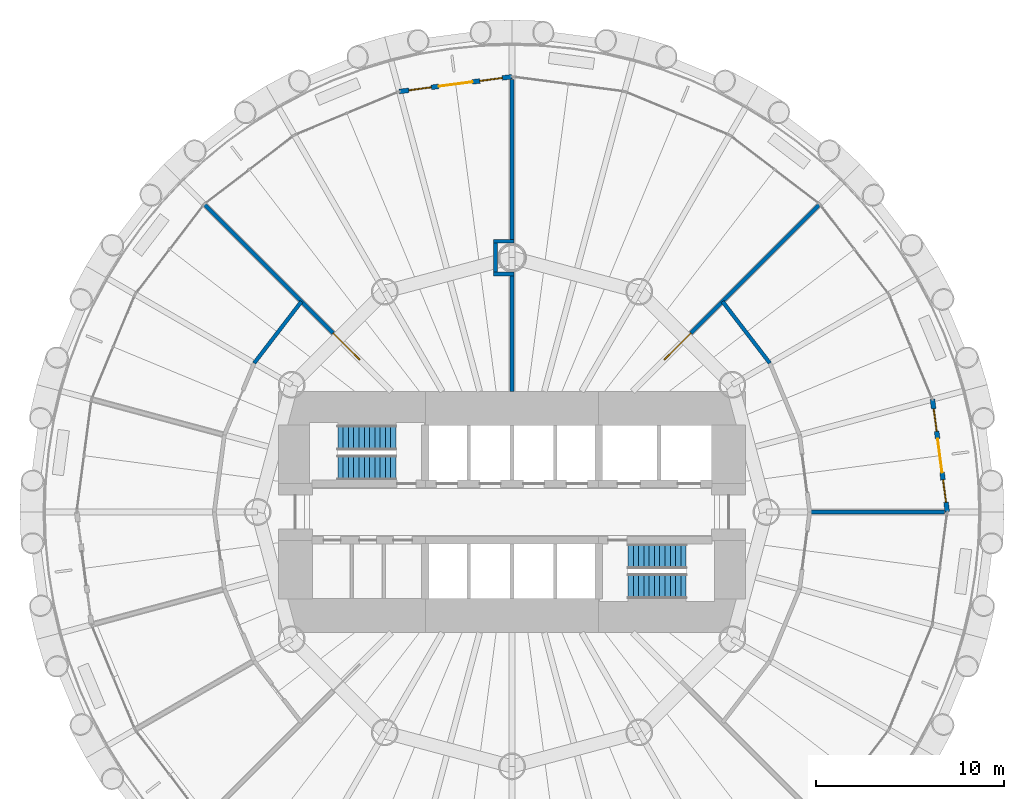
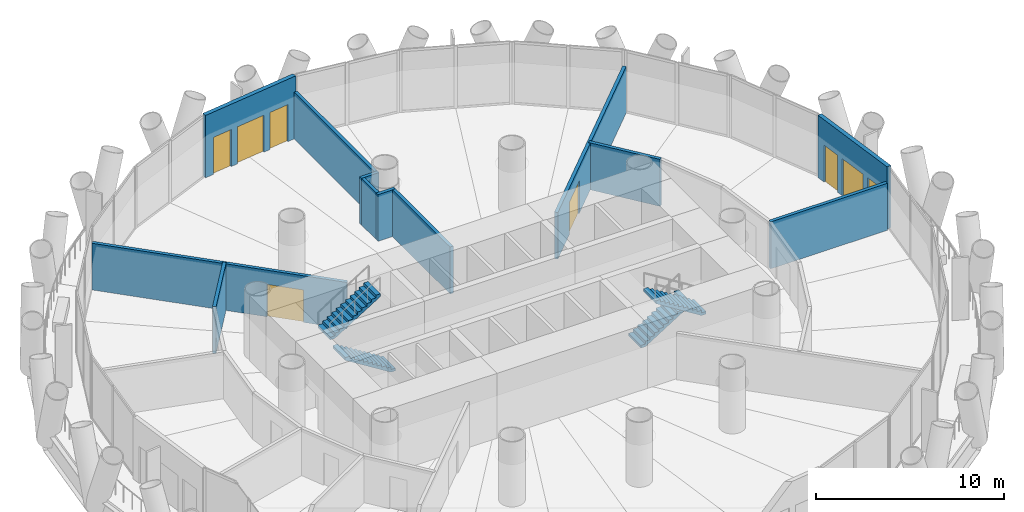
# One storey, part 10 of 14: 12 walls, 4 doors, 4 stair flights, 4 windows, 8 openings, 2 elements without a shape of their own.
"""IFC4 building model written with IfcOpenShell, lengths in metres."""

from ifc_helpers import new_model, si_unit, direction, frame, frame_2d, origin, place, context, subcontext, project, spatial, polyline, rectangle, outline, extrude, material, layer, layer_set, type_object, element, fill, aggregate, save


model = new_model("IFC4")

# Units and contexts
model_context = context("Model", 3, precision=1e-05, world=origin(), true_north=direction((0.0, 1.0)))
body_context = subcontext(model_context, "Body", "Model", "MODEL_VIEW")
ifc_project = project(units=[si_unit("LENGTHUNIT", "METRE"), si_unit("AREAUNIT", "SQUARE_METRE"), si_unit("VOLUMEUNIT", "CUBIC_METRE"), si_unit("PLANEANGLEUNIT", "RADIAN"), si_unit("MASSUNIT", "GRAM", prefix="KILO")], contexts=[model_context])

# Site, building, storey
site_placement = place(None, origin())
site = spatial("IfcSite", under=ifc_project, at=site_placement, CompositionType="ELEMENT")
building_placement = place(site_placement, origin())
building = spatial("IfcBuilding", under=site, at=building_placement, Name="Qaws Media Tower", CompositionType="ELEMENT")
storey_placement = place(building_placement, frame((0.0, 0.0, 76.39990234375)))
storey = spatial("IfcBuildingStorey", under=building, at=storey_placement, Name="L16", CompositionType="ELEMENT", Elevation=76.39990234375)

# Wall, openings, door, windows
ifc_material_1 = material(Name="Precast concrete, exposed finish", Category="concrete")
ifc_layer_1 = layer(ifc_material_1, 0.25)
ifc_layer_set_1 = layer_set([ifc_layer_1], Name="Balcony door wall 250")
wall_type_1 = type_object("IfcWallType", Name="Balcony door wall 250", PredefinedType="SOLIDWALL", material=ifc_layer_set_1)
wall_1_placement = place(storey_placement, frame((83.10009765625, 50.0, 0.0), z_axis=(0.0, 0.0, 1.0), x_axis=(-0.130524679454, 0.991445060532, 0.0)))
wall_1 = element("IfcWall", 1, at=wall_1_placement, inside=storey, type_object=wall_type_1, Name="W156 EW1 balcony door wall L16-01", PredefinedType="SOLIDWALL", context=body_context, shape_type="SweptSolid", body=[
    extrude(rectangle(XDim=6.0302734375, YDim=0.25, at=frame_2d((3.01513671875, 0.0))), origin(), (0.0, 0.0, 1.0), 4.0400390625),
])
opening_1_placement = place(wall_1_placement, frame((2.115234375, 0.0, 0.0)))
opening_1 = element("IfcOpeningElement", 2, at=opening_1_placement, cuts=wall_1, Name="Opening D7", PredefinedType="OPENING", context=body_context, shape_type="SweptSolid", body=[
    extrude(rectangle(XDim=1.800048828125, YDim=2.39990234375, at=frame_2d((0.89990234375, 1.199951171875))), frame((0.0, 0.135009765625, 0.0), z_axis=(0.0, -1.0, 0.0), x_axis=(1.0, 0.0, 0.0)), (0.0, 0.0, 1.0), 0.27001953125),
])
opening_2_placement = place(wall_1_placement, frame((0.51513671875, 0.0, 0.0)))
opening_2 = element("IfcOpeningElement", 3, at=opening_2_placement, cuts=wall_1, Name="Opening W1", PredefinedType="OPENING", context=body_context, shape_type="SweptSolid", body=[
    extrude(rectangle(XDim=1.199951171875, YDim=2.39990234375, at=frame_2d((0.60009765625, 1.199951171875))), frame((0.0, 0.135009765625, 0.0), z_axis=(0.0, -1.0, 0.0), x_axis=(1.0, 0.0, 0.0)), (0.0, 0.0, 1.0), 0.27001953125),
])
opening_3_placement = place(wall_1_placement, frame((4.315185546875, 0.0, 0.0)))
opening_3 = element("IfcOpeningElement", 4, at=opening_3_placement, cuts=wall_1, Name="Opening W1", PredefinedType="OPENING", context=body_context, shape_type="SweptSolid", body=[
    extrude(rectangle(XDim=1.199951171875, YDim=2.39990234375, at=frame_2d((0.60009765625, 1.199951171875))), frame((0.0, 0.135009765625, 0.0), z_axis=(0.0, -1.0, 0.0), x_axis=(1.0, 0.0, 0.0)), (0.0, 0.0, 1.0), 0.27001953125),
])
ifc_material_2 = material(Name="Aluminium and clear glass", Category="aluminium")
door_type_1 = type_object("IfcDoorType", Name="Balcony door pair 1800", OperationType="DOUBLE_DOOR_SLIDING", PredefinedType="DOOR", material=ifc_material_2)
door_1_placement = place(opening_1_placement, origin())
door_1 = element("IfcDoor", 5, at=door_1_placement, inside=storey, type_object=door_type_1, Name="D7 balcony door L16-01 in wall W156", OperationType="DOUBLE_DOOR_SLIDING", OverallHeight=2.39990234375, OverallWidth=1.800048828125, PredefinedType="DOOR", context=body_context, shape_type="SweptSolid", body=[
    extrude(rectangle(XDim=1.800048828125, YDim=2.39990234375, at=frame_2d((0.89990234375, 1.199951171875))), frame((0.0, 0.02490234375, 0.0), z_axis=(0.0, -1.0, 0.0), x_axis=(1.0, 0.0, 0.0)), (0.0, 0.0, 1.0), 0.050048828125),
])
fill(opening_1, door_1)
ifc_material_3 = material(Name="Aluminium and clear glass", Category="aluminium")
window_type = type_object("IfcWindowType", Name="Balcony side window 1200", PartitioningType="SINGLE_PANEL", PredefinedType="WINDOW", material=ifc_material_3)
window_1_placement = place(opening_2_placement, origin())
window_1 = element("IfcWindow", 6, at=window_1_placement, inside=storey, type_object=window_type, Name="W1 balcony side light L16-01L", OverallHeight=2.39990234375, OverallWidth=1.199951171875, PartitioningType="SINGLE_PANEL", PredefinedType="WINDOW", context=body_context, shape_type="SweptSolid", body=[
    extrude(rectangle(XDim=1.199951171875, YDim=2.39990234375, at=frame_2d((0.60009765625, 1.199951171875))), frame((0.0, 0.030029296875, 0.0), z_axis=(0.0, -1.0, 0.0), x_axis=(1.0, 0.0, 0.0)), (0.0, 0.0, 1.0), 0.06005859375),
])
fill(opening_2, window_1)
window_2_placement = place(opening_3_placement, origin())
window_2 = element("IfcWindow", 7, at=window_2_placement, inside=storey, type_object=window_type, Name="W1 balcony side light L16-01R", OverallHeight=2.39990234375, OverallWidth=1.199951171875, PartitioningType="SINGLE_PANEL", PredefinedType="WINDOW", context=body_context, shape_type="SweptSolid", body=[
    extrude(rectangle(XDim=1.199951171875, YDim=2.39990234375, at=frame_2d((0.60009765625, 1.199951171875))), frame((0.0, 0.030029296875, 0.0), z_axis=(0.0, -1.0, 0.0), x_axis=(1.0, 0.0, 0.0)), (0.0, 0.0, 1.0), 0.06005859375),
])
fill(opening_3, window_2)

wall_2_placement = place(storey_placement, frame((60.0, 73.10009765625, 0.0), z_axis=(0.0, 0.0, 1.0), x_axis=(-0.991445060532, -0.130524679454, 0.0)))
wall_2 = element("IfcWall", 8, at=wall_2_placement, inside=storey, type_object=wall_type_1, Name="W155 EW1 balcony door wall L16-07", PredefinedType="SOLIDWALL", context=body_context, shape_type="SweptSolid", body=[
    extrude(rectangle(XDim=6.0302734375, YDim=0.25, at=frame_2d((3.01513671875, 0.0))), origin(), (0.0, 0.0, 1.0), 4.0400390625),
])
opening_4_placement = place(wall_2_placement, frame((2.115234375, 0.0, 0.0)))
opening_4 = element("IfcOpeningElement", 9, at=opening_4_placement, cuts=wall_2, Name="Opening D7", PredefinedType="OPENING", context=body_context, shape_type="SweptSolid", body=[
    extrude(rectangle(XDim=1.800048828125, YDim=2.39990234375, at=frame_2d((0.89990234375, 1.199951171875))), frame((0.0, 0.135009765625, 0.0), z_axis=(0.0, -1.0, 0.0), x_axis=(1.0, 0.0, 0.0)), (0.0, 0.0, 1.0), 0.27001953125),
])
opening_5_placement = place(wall_2_placement, frame((0.51513671875, 0.0, 0.0)))
opening_5 = element("IfcOpeningElement", 10, at=opening_5_placement, cuts=wall_2, Name="Opening W1", PredefinedType="OPENING", context=body_context, shape_type="SweptSolid", body=[
    extrude(rectangle(XDim=1.199951171875, YDim=2.39990234375, at=frame_2d((0.60009765625, 1.199951171875))), frame((0.0, 0.135009765625, 0.0), z_axis=(0.0, -1.0, 0.0), x_axis=(1.0, 0.0, 0.0)), (0.0, 0.0, 1.0), 0.27001953125),
])
opening_6_placement = place(wall_2_placement, frame((4.315185546875, 0.0, 0.0)))
opening_6 = element("IfcOpeningElement", 11, at=opening_6_placement, cuts=wall_2, Name="Opening W1", PredefinedType="OPENING", context=body_context, shape_type="SweptSolid", body=[
    extrude(rectangle(XDim=1.199951171875, YDim=2.39990234375, at=frame_2d((0.60009765625, 1.199951171875))), frame((0.0, 0.135009765625, 0.0), z_axis=(0.0, -1.0, 0.0), x_axis=(1.0, 0.0, 0.0)), (0.0, 0.0, 1.0), 0.27001953125),
])
door_2_placement = place(opening_4_placement, origin())
door_2 = element("IfcDoor", 12, at=door_2_placement, inside=storey, type_object=door_type_1, Name="D7 balcony door L16-07 in wall W155", OperationType="DOUBLE_DOOR_SLIDING", OverallHeight=2.39990234375, OverallWidth=1.800048828125, PredefinedType="DOOR", context=body_context, shape_type="SweptSolid", body=[
    extrude(rectangle(XDim=1.800048828125, YDim=2.39990234375, at=frame_2d((0.89990234375, 1.199951171875))), frame((0.0, 0.02490234375, 0.0), z_axis=(0.0, -1.0, 0.0), x_axis=(1.0, 0.0, 0.0)), (0.0, 0.0, 1.0), 0.050048828125),
])
fill(opening_4, door_2)
window_3_placement = place(opening_5_placement, origin())
window_3 = element("IfcWindow", 13, at=window_3_placement, inside=storey, type_object=window_type, Name="W1 balcony side light L16-07L", OverallHeight=2.39990234375, OverallWidth=1.199951171875, PartitioningType="SINGLE_PANEL", PredefinedType="WINDOW", context=body_context, shape_type="SweptSolid", body=[
    extrude(rectangle(XDim=1.199951171875, YDim=2.39990234375, at=frame_2d((0.60009765625, 1.199951171875))), frame((0.0, 0.030029296875, 0.0), z_axis=(0.0, -1.0, 0.0), x_axis=(1.0, 0.0, 0.0)), (0.0, 0.0, 1.0), 0.06005859375),
])
fill(opening_5, window_3)
window_4_placement = place(opening_6_placement, origin())
window_4 = element("IfcWindow", 14, at=window_4_placement, inside=storey, type_object=window_type, Name="W1 balcony side light L16-07R", OverallHeight=2.39990234375, OverallWidth=1.199951171875, PartitioningType="SINGLE_PANEL", PredefinedType="WINDOW", context=body_context, shape_type="SweptSolid", body=[
    extrude(rectangle(XDim=1.199951171875, YDim=2.39990234375, at=frame_2d((0.60009765625, 1.199951171875))), frame((0.0, 0.030029296875, 0.0), z_axis=(0.0, -1.0, 0.0), x_axis=(1.0, 0.0, 0.0)), (0.0, 0.0, 1.0), 0.06005859375),
])
fill(opening_6, window_4)

# Walls
ifc_material_4 = material(Name="Gypsum board on galvanised metal studs, acoustic double stud, deflection head", Category="gypsum")
ifc_layer_2 = layer(ifc_material_4, 0.199951171875)
ifc_layer_set_2 = layer_set([ifc_layer_2], Name="Room partition 200")
wall_type_2 = type_object("IfcWallType", Name="Room partition 200", PredefinedType="PARTITIONING", material=ifc_layer_set_2)
for number, where, z_axis, x_axis, name in (
    (15, (46.31689453125, 57.89990234375, 0.0), (0.0, 0.0, 1.0), (0.608714823874, 0.793389099494, 0.0), "W947 IW3 partition L16"),
    (16, (71.17236328125, 61.17236328125, 0.0), (0.0, 0.0, 1.0), (0.608714823874, -0.793389099494, 0.0), "W953 IW3 partition L16"),
):
    element("IfcWall", number, at=place(storey_placement, frame(where, z_axis=z_axis, x_axis=x_axis)), inside=storey, type_object=wall_type_2, Name=name, PredefinedType="PARTITIONING", context=body_context, shape_type="SweptSolid", body=[
        extrude(rectangle(XDim=4.124755859375, YDim=0.199951171875, at=frame_2d((2.0625, 0.0))), origin(), (0.0, 0.0, 1.0), 3.0400390625),
    ])
wall_3_placement = place(storey_placement, frame((75.800048828125, 50.0, 0.0), z_axis=(0.0, 0.0, 1.0), x_axis=(1.0, 0.0, 0.0)))
element("IfcWall", 17, at=wall_3_placement, inside=storey, type_object=wall_type_2, Name="W1097 IW3 partition L16", PredefinedType="PARTITIONING", context=body_context, shape_type="SweptSolid", body=[
    extrude(rectangle(XDim=7.159912109375, YDim=0.199951171875, at=frame_2d((3.580078125, 0.0))), origin(), (0.0, 0.0, 1.0), 3.0400390625),
])

# Wall, opening, door
wall_4_placement = place(storey_placement, frame((66.39990234375, 56.39990234375, 0.0), z_axis=(0.0, 0.0, 1.0), x_axis=(0.707106781187, 0.707106781187, 0.0)))
wall_4 = element("IfcWall", 18, at=wall_4_placement, inside=storey, type_object=wall_type_2, Name="W1096 IW3 partition L16", PredefinedType="PARTITIONING", context=body_context, shape_type="SweptSolid", body=[
    extrude(rectangle(XDim=14.00927734375, YDim=0.199951171875, at=frame_2d((7.004638671875, 0.0))), origin(), (0.0, 0.0, 1.0), 3.02001953125),
])
opening_7_placement = place(wall_4_placement, frame((2.37451171875, 0.0, 0.0)))
opening_7 = element("IfcOpeningElement", 19, at=opening_7_placement, cuts=wall_4, Name="Opening D6", PredefinedType="OPENING", context=body_context, shape_type="SweptSolid", body=[
    extrude(rectangle(XDim=2.0, YDim=2.10009765625, at=frame_2d((1.0, 1.050048828125))), frame((0.0, 0.10986328125, 0.0), z_axis=(0.0, -1.0, 0.0), x_axis=(1.0, 0.0, 0.0)), (0.0, 0.0, 1.0), 0.219970703125),
])
ifc_material_5 = material(Name="Steel, acoustic, fire rated", Category="steel")
door_type_2 = type_object("IfcDoorType", Name="Room door pair 2000", OperationType="DOUBLE_DOOR_DOUBLE_SWING", PredefinedType="DOOR", material=ifc_material_5)
door_3_placement = place(opening_7_placement, origin())
door_3 = element("IfcDoor", 20, at=door_3_placement, inside=storey, type_object=door_type_2, Name="D6 Digital desk door L16 in wall W1096", OperationType="DOUBLE_DOOR_DOUBLE_SWING", OverallHeight=2.10009765625, OverallWidth=2.0, PredefinedType="DOOR", context=body_context, shape_type="SweptSolid", body=[
    extrude(rectangle(XDim=2.0, YDim=2.10009765625, at=frame_2d((1.0, 1.050048828125))), frame((0.0, 0.02490234375, 0.0), z_axis=(0.0, -1.0, 0.0), x_axis=(1.0, 0.0, 0.0)), (0.0, 0.0, 1.0), 0.050048828125),
])
fill(opening_7, door_3)

# Walls
for number, where, z_axis, x_axis, name in (
    (21, (60.10009765625, 62.62890625, 0.0), (0.0, 0.0, 1.0), (-1.0, 0.0, 0.0), "W1075 IW3 partition return L16"),
    (22, (60.10009765625, 64.37109375, 0.0), (0.0, 0.0, 1.0), (-1.0, 0.0, 0.0), "W1076 IW3 partition return L16"),
):
    element("IfcWall", number, at=place(storey_placement, frame(where, z_axis=z_axis, x_axis=x_axis)), inside=storey, type_object=wall_type_2, Name=name, PredefinedType="PARTITIONING", context=body_context, shape_type="SweptSolid", body=[
        extrude(rectangle(XDim=1.0810546875, YDim=0.199951171875, at=frame_2d((0.54052734375, 0.0))), origin(), (0.0, 0.0, 1.0), 3.02001953125),
    ])
wall_5_placement = place(storey_placement, frame((59.118896484375, 62.72900390625, 0.0), z_axis=(0.0, 0.0, 1.0), x_axis=(0.0, 1.0, 0.0)))
element("IfcWall", 23, at=wall_5_placement, inside=storey, type_object=wall_type_2, Name="W1072 IW3 partition return L16", PredefinedType="PARTITIONING", context=body_context, shape_type="SweptSolid", body=[
    extrude(rectangle(XDim=1.5419921875, YDim=0.199951171875, at=frame_2d((0.77099609375, 0.0))), origin(), (0.0, 0.0, 1.0), 3.02001953125),
])
wall_6_placement = place(storey_placement, frame((60.0, 56.39990234375, 0.0), z_axis=(0.0, 0.0, 1.0), x_axis=(0.0, 1.0, 0.0)))
element("IfcWall", 24, at=wall_6_placement, inside=storey, type_object=wall_type_2, Name="W1073 IW3 partition L16", PredefinedType="PARTITIONING", context=body_context, shape_type="SweptSolid", body=[
    extrude(rectangle(XDim=6.129150390625, YDim=0.199951171875, at=frame_2d((3.064453125, 0.0))), origin(), (0.0, 0.0, 1.0), 3.0400390625),
])
wall_7_placement = place(storey_placement, frame((60.0, 64.470947265625, 0.0), z_axis=(0.0, 0.0, 1.0), x_axis=(0.0, 1.0, 0.0)))
element("IfcWall", 25, at=wall_7_placement, inside=storey, type_object=wall_type_2, Name="W1094 IW3 partition L16", PredefinedType="PARTITIONING", context=body_context, shape_type="SweptSolid", body=[
    extrude(rectangle(XDim=8.489013671875, YDim=0.199951171875, at=frame_2d((4.24462890625, 0.0))), origin(), (0.0, 0.0, 1.0), 3.0400390625),
])

# Wall, opening, door
wall_8_placement = place(storey_placement, frame((53.60009765625, 56.39990234375, 0.0), z_axis=(0.0, 0.0, 1.0), x_axis=(-0.707106781187, 0.707106781187, 0.0)))
wall_8 = element("IfcWall", 26, at=wall_8_placement, inside=storey, type_object=wall_type_2, Name="W1093 IW3 partition L16", PredefinedType="PARTITIONING", context=body_context, shape_type="SweptSolid", body=[
    extrude(rectangle(XDim=14.00927734375, YDim=0.199951171875, at=frame_2d((7.004638671875, 0.0))), origin(), (0.0, 0.0, 1.0), 3.02001953125),
])
opening_8_placement = place(wall_8_placement, frame((2.37451171875, 0.0, 0.0)))
opening_8 = element("IfcOpeningElement", 27, at=opening_8_placement, cuts=wall_8, Name="Opening D6", PredefinedType="OPENING", context=body_context, shape_type="SweptSolid", body=[
    extrude(rectangle(XDim=2.0, YDim=2.10009765625, at=frame_2d((1.0, 1.050048828125))), frame((0.0, 0.10986328125, 0.0), z_axis=(0.0, -1.0, 0.0), x_axis=(1.0, 0.0, 0.0)), (0.0, 0.0, 1.0), 0.219970703125),
])
door_4_placement = place(opening_8_placement, origin())
door_4 = element("IfcDoor", 28, at=door_4_placement, inside=storey, type_object=door_type_2, Name="D6 Social media desk door L16 in wall W1093", OperationType="DOUBLE_DOOR_DOUBLE_SWING", OverallHeight=2.10009765625, OverallWidth=2.0, PredefinedType="DOOR", context=body_context, shape_type="SweptSolid", body=[
    extrude(rectangle(XDim=2.0, YDim=2.10009765625, at=frame_2d((1.0, 1.050048828125))), frame((0.0, 0.02490234375, 0.0), z_axis=(0.0, -1.0, 0.0), x_axis=(1.0, 0.0, 0.0)), (0.0, 0.0, 1.0), 0.050048828125),
])
fill(opening_8, door_4)

# Stair, stair flights
ifc_material_6 = material(Name="Concrete C40/50", Category="concrete")
stair_type = type_object("IfcStairType", Name="Exit stair", PredefinedType="HALF_TURN_STAIR", material=ifc_material_6)
stair_1_placement = place(storey_placement, origin())
stair_1 = element("IfcStair", 29, at=stair_1_placement, inside=storey, type_object=stair_type, Name="S1 exit stair L16", PredefinedType="HALF_TURN_STAIR")
ifc_material_7 = material(Name="Concrete C40/50", Category="concrete")
stair_flight_type = type_object("IfcStairFlightType", Name="Stair flight 1310", PredefinedType="STRAIGHT", material=ifc_material_7)
stair_flight_1_placement = place(storey_placement, frame((53.840087890625, 52.35498046875, 0.0), z_axis=(0.0, 0.0, 1.0), x_axis=(-1.0, 0.0, 0.0)))
stair_flight_1 = element("IfcStairFlight", 30, at=stair_flight_1_placement, type_object=stair_flight_type, Name="S1 flight 1", NumberOfRisers=12, NumberOfTreads=11, PredefinedType="STRAIGHT", RiserHeight=0.175, TreadLength=0.28, context=body_context, shape_type="SweptSolid", body=[
    extrude(outline(polyline([(0.0, 0.0), (0.0, 0.175048828125), (0.280029296875, 0.175048828125), (0.280029296875, 0.35009765625), (0.56005859375, 0.35009765625), (0.56005859375, 0.52490234375), (0.840087890625, 0.52490234375), (0.840087890625, 0.699951171875), (1.1201171875, 0.699951171875), (1.1201171875, 0.875), (1.39990234375, 0.875), (1.39990234375, 1.050048828125), (1.679931640625, 1.050048828125), (1.679931640625, 1.22509765625), (1.9599609375, 1.22509765625), (1.9599609375, 1.39990234375), (2.239990234375, 1.39990234375), (2.239990234375, 1.574951171875), (2.52001953125, 1.574951171875), (2.52001953125, 1.75), (2.800048828125, 1.75), (2.800048828125, 1.925048828125), (3.080078125, 1.925048828125), (3.080078125, 2.10009765625), (3.080078125, 1.748291015625), (0.28271484375, 0.0), (0.0, 0.0)])), frame((0.0, 0.655029296875, 0.0), z_axis=(0.0, -1.0, 0.0), x_axis=(1.0, 0.0, 0.0)), (0.0, 0.0, 1.0), 1.31005859375),
])
stair_flight_2_placement = place(storey_placement, frame((50.760009765625, 53.945068359375, 2.10009765625), z_axis=(0.0, 0.0, 1.0), x_axis=(1.0, 0.0, 0.0)))
stair_flight_2 = element("IfcStairFlight", 31, at=stair_flight_2_placement, type_object=stair_flight_type, Name="S1 flight 2", NumberOfRisers=12, NumberOfTreads=11, PredefinedType="STRAIGHT", RiserHeight=0.175, TreadLength=0.28, context=body_context, shape_type="SweptSolid", body=[
    extrude(outline(polyline([(0.0, 0.0), (0.0, 0.175048828125), (0.280029296875, 0.175048828125), (0.280029296875, 0.35009765625), (0.56005859375, 0.35009765625), (0.56005859375, 0.52490234375), (0.840087890625, 0.52490234375), (0.840087890625, 0.699951171875), (1.1201171875, 0.699951171875), (1.1201171875, 0.875), (1.39990234375, 0.875), (1.39990234375, 1.050048828125), (1.679931640625, 1.050048828125), (1.679931640625, 1.22509765625), (1.9599609375, 1.22509765625), (1.9599609375, 1.39990234375), (2.239990234375, 1.39990234375), (2.239990234375, 1.574951171875), (2.52001953125, 1.574951171875), (2.52001953125, 1.75), (2.800048828125, 1.75), (2.800048828125, 1.925048828125), (3.080078125, 1.925048828125), (3.080078125, 2.10009765625), (3.080078125, 1.748291015625), (0.28271484375, 0.0), (0.0, 0.0)])), frame((0.0, 0.655029296875, 0.0), z_axis=(0.0, -1.0, 0.0), x_axis=(1.0, 0.0, 0.0)), (0.0, 0.0, 1.0), 1.31005859375),
])
aggregate(stair_1, [stair_flight_1, stair_flight_2])

stair_2_placement = place(storey_placement, origin())
stair_2 = element("IfcStair", 32, at=stair_2_placement, inside=storey, type_object=stair_type, Name="S2 exit stair L16", PredefinedType="HALF_TURN_STAIR")
stair_flight_3_placement = place(storey_placement, frame((66.159912109375, 47.64501953125, 0.0), z_axis=(0.0, 0.0, 1.0), x_axis=(1.0, 0.0, 0.0)))
stair_flight_3 = element("IfcStairFlight", 33, at=stair_flight_3_placement, type_object=stair_flight_type, Name="S2 flight 1", NumberOfRisers=12, NumberOfTreads=11, PredefinedType="STRAIGHT", RiserHeight=0.175, TreadLength=0.28, context=body_context, shape_type="SweptSolid", body=[
    extrude(outline(polyline([(0.0, 0.0), (0.0, 0.175048828125), (0.280029296875, 0.175048828125), (0.280029296875, 0.35009765625), (0.56005859375, 0.35009765625), (0.56005859375, 0.52490234375), (0.840087890625, 0.52490234375), (0.840087890625, 0.699951171875), (1.1201171875, 0.699951171875), (1.1201171875, 0.875), (1.39990234375, 0.875), (1.39990234375, 1.050048828125), (1.679931640625, 1.050048828125), (1.679931640625, 1.22509765625), (1.9599609375, 1.22509765625), (1.9599609375, 1.39990234375), (2.239990234375, 1.39990234375), (2.239990234375, 1.574951171875), (2.52001953125, 1.574951171875), (2.52001953125, 1.75), (2.800048828125, 1.75), (2.800048828125, 1.925048828125), (3.080078125, 1.925048828125), (3.080078125, 2.10009765625), (3.080078125, 1.748291015625), (0.28271484375, 0.0), (0.0, 0.0)])), frame((0.0, 0.655029296875, 0.0), z_axis=(0.0, -1.0, 0.0), x_axis=(1.0, 0.0, 0.0)), (0.0, 0.0, 1.0), 1.31005859375),
])
stair_flight_4_placement = place(storey_placement, frame((69.239990234375, 46.054931640625, 2.10009765625), z_axis=(0.0, 0.0, 1.0), x_axis=(-1.0, 0.0, 0.0)))
stair_flight_4 = element("IfcStairFlight", 34, at=stair_flight_4_placement, type_object=stair_flight_type, Name="S2 flight 2", NumberOfRisers=12, NumberOfTreads=11, PredefinedType="STRAIGHT", RiserHeight=0.175, TreadLength=0.28, context=body_context, shape_type="SweptSolid", body=[
    extrude(outline(polyline([(0.0, 0.0), (0.0, 0.175048828125), (0.280029296875, 0.175048828125), (0.280029296875, 0.35009765625), (0.56005859375, 0.35009765625), (0.56005859375, 0.52490234375), (0.840087890625, 0.52490234375), (0.840087890625, 0.699951171875), (1.1201171875, 0.699951171875), (1.1201171875, 0.875), (1.39990234375, 0.875), (1.39990234375, 1.050048828125), (1.679931640625, 1.050048828125), (1.679931640625, 1.22509765625), (1.9599609375, 1.22509765625), (1.9599609375, 1.39990234375), (2.239990234375, 1.39990234375), (2.239990234375, 1.574951171875), (2.52001953125, 1.574951171875), (2.52001953125, 1.75), (2.800048828125, 1.75), (2.800048828125, 1.925048828125), (3.080078125, 1.925048828125), (3.080078125, 2.10009765625), (3.080078125, 1.748291015625), (0.28271484375, 0.0), (0.0, 0.0)])), frame((0.0, 0.655029296875, 0.0), z_axis=(0.0, -1.0, 0.0), x_axis=(1.0, 0.0, 0.0)), (0.0, 0.0, 1.0), 1.31005859375),
])
aggregate(stair_2, [stair_flight_3, stair_flight_4])

save(model, "model.ifc")
